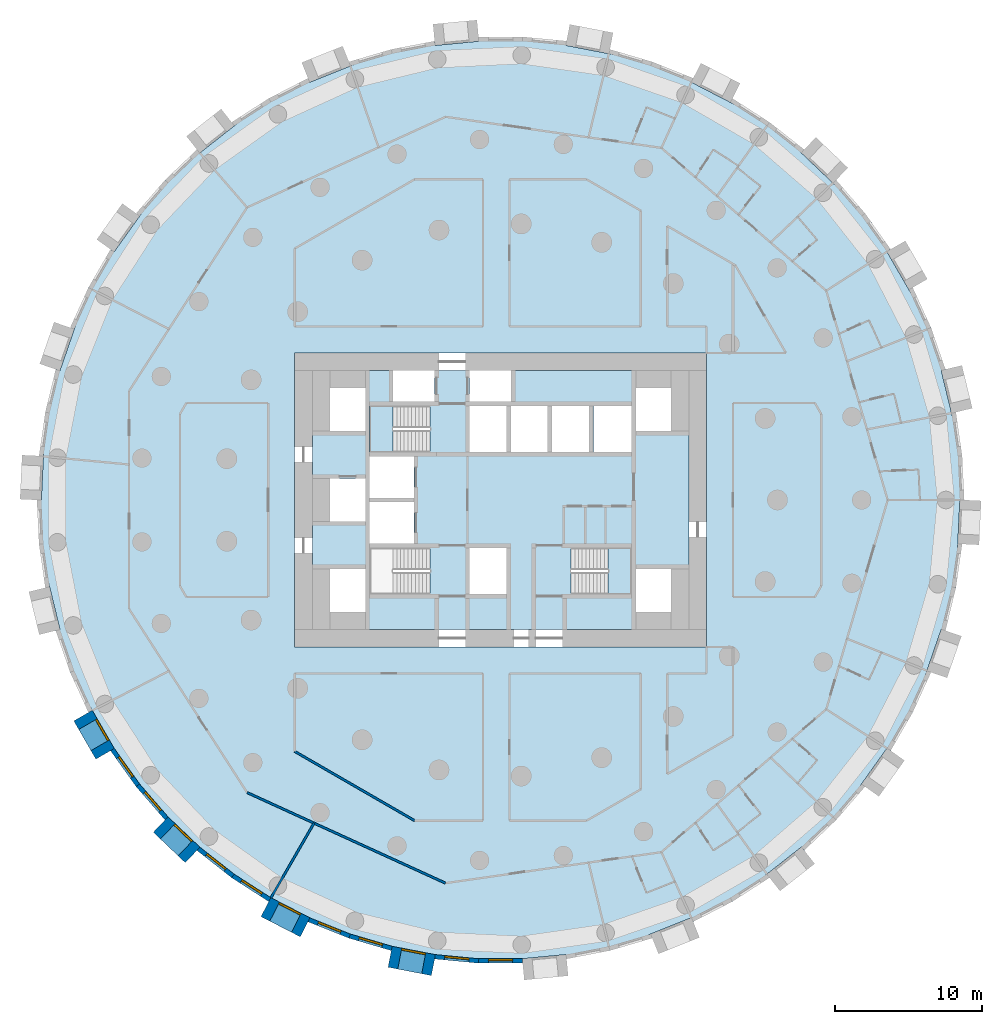
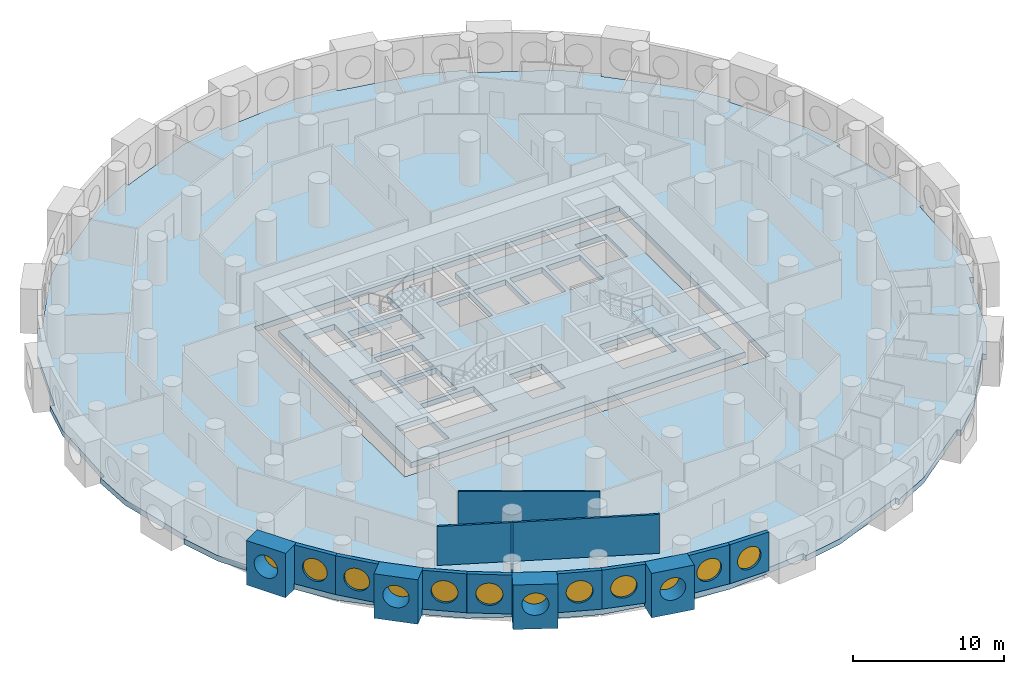
# One storey, part 2 of 12: 15 walls, 12 windows, 4 slabs, 12 openings, 2 elements without a shape of their own.
"""IFC4 building model written with IfcOpenShell, lengths in metres."""

import ifcopenshell
import ifcopenshell.guid

model = None  # the IFC model being written
_history = None  # IfcOwnerHistory: only IFC2X3 demands one
_inside = {}  # id of a spatial element -> (the spatial element, [elements in it])
_under = {}  # id of a project, library or spatial element -> (it, [spatial elements below it])
_declared = {}  # id of a project -> (the project, [libraries it declares])
_typed = {}  # id of a type object -> (the type object, [elements of that type])
_made_of = {}  # id of a material, layer set ... -> (it, [elements and type objects made of it])


def new_model(schema):
    """Start an empty IFC model of exactly this schema.

    Asked for "IFC4X3", IfcOpenShell would pick the latest addendum, in which some entities
    have other attributes; the version numbers below select the first issue.
    IFC2X3 requires an IfcOwnerHistory on every rooted entity: one is made here for all.
    """
    global model, _history
    if schema == "IFC4X3":
        model = ifcopenshell.file(schema_version=(4, 3, 0, 0))
    else:
        model = ifcopenshell.file(schema=schema)
    _inside.clear()
    _under.clear()
    _declared.clear()
    _typed.clear()
    _made_of.clear()
    _history = None
    if model.schema == "IFC2X3":
        org = make("IfcOrganization", Name="unknown")
        user = make(
            "IfcPersonAndOrganization",
            ThePerson=make("IfcPerson", FamilyName="unknown"),
            TheOrganization=org,
        )
        app = make(
            "IfcApplication",
            ApplicationDeveloper=org,
            Version="unknown",
            ApplicationFullName="unknown",
            ApplicationIdentifier="unknown",
        )
        _history = make(
            "IfcOwnerHistory",
            OwningUser=user,
            OwningApplication=app,
            ChangeAction="ADDED",
            CreationDate=0,
        )
    return model


def make(cls, **values):
    """One entity of the class cls with the attributes given. An attribute that is None is left unset."""
    return model.create_entity(
        cls, **{name: value for name, value in values.items() if value is not None}
    )


def rooted(cls, **values):
    """An entity with a GlobalId (a new one), such as an element, a storey or a relation."""
    return make(cls, GlobalId=ifcopenshell.guid.new(), OwnerHistory=_history, **values)


def si_unit(unit_type, name, prefix=None):
    """IfcSIUnit, for example si_unit("LENGTHUNIT", "METRE", prefix="MILLI")."""
    return make("IfcSIUnit", UnitType=unit_type, Prefix=prefix, Name=name)


def assignment(units):
    """IfcUnitAssignment: the units of a project."""
    return None if units is None else make("IfcUnitAssignment", Units=units)


def point(xyz):
    """IfcCartesianPoint."""
    return None if xyz is None else make("IfcCartesianPoint", Coordinates=xyz)


def direction(xyz):
    """IfcDirection."""
    return None if xyz is None else make("IfcDirection", DirectionRatios=xyz)


def frame(location, z_axis=None, x_axis=None):
    """IfcAxis2Placement3D, a coordinate frame: its origin and axes. An axis left out is left unset."""
    return make(
        "IfcAxis2Placement3D",
        Location=point(location),
        Axis=direction(z_axis),
        RefDirection=direction(x_axis),
    )


def frame_2d(location, x_axis=None):
    """IfcAxis2Placement2D, a coordinate frame in the plane: its origin and x axis."""
    return make(
        "IfcAxis2Placement2D", Location=point(location), RefDirection=direction(x_axis)
    )


def origin():
    """The frame at (0, 0, 0) with its axes left unset."""
    return frame((0.0, 0.0, 0.0))


def origin_2d():
    """The frame at (0, 0) in the plane with its x axis left unset."""
    return frame_2d((0.0, 0.0))


def place(relative_to, where):
    """IfcLocalPlacement: puts the frame where relative to a parent placement (None: the world)."""
    return make(
        "IfcLocalPlacement", PlacementRelTo=relative_to, RelativePlacement=where
    )


def context(
    kind, dimensions, precision=None, world=None, true_north=None, identifier=None
):
    """IfcGeometricRepresentationContext, for example the 3D "Model" context."""
    return make(
        "IfcGeometricRepresentationContext",
        ContextIdentifier=identifier,
        ContextType=kind,
        CoordinateSpaceDimension=dimensions,
        Precision=precision,
        WorldCoordinateSystem=world,
        TrueNorth=true_north,
    )


def subcontext(parent, identifier, kind, view, scale=None):
    """IfcGeometricRepresentationSubContext, for example "Body" below "Model"."""
    return make(
        "IfcGeometricRepresentationSubContext",
        ContextIdentifier=identifier,
        ContextType=kind,
        ParentContext=parent,
        TargetScale=scale,
        TargetView=view,
    )


def project(units=None, contexts=None):
    """IfcProject with its units and contexts."""
    return rooted(
        "IfcProject",
        Name="project",
        RepresentationContexts=contexts,
        UnitsInContext=assignment(units),
    )


def spatial(cls, under=None, at=None, **own):
    """A site, building, storey or space (cls), placed at a placement, below another one or the project."""
    s = rooted(cls, ObjectPlacement=at, **own)
    if under is not None:
        _under.setdefault(under.id(), (under, []))[1].append(s)
    return s


def polyline(points):
    """IfcPolyline through the points."""
    return make("IfcPolyline", Points=[point(p) for p in points])


def profile(cls, at=None, kind="AREA", **sizes):
    """A parametric profile (cls). Its sizes go by their IFC names, for example OverallWidth=200.0."""
    return make(cls, ProfileType=kind, Position=at, **sizes)


def rectangle(**sizes):
    """IfcRectangleProfileDef."""
    return profile("IfcRectangleProfileDef", **sizes)


def circle(**sizes):
    """IfcCircleProfileDef."""
    return profile("IfcCircleProfileDef", **sizes)


def outline(outer, holes=None, kind="AREA"):
    """IfcArbitraryClosedProfileDef: a profile drawn as a closed curve; with holes, ...WithVoids."""
    if holes is None:
        return make("IfcArbitraryClosedProfileDef", ProfileType=kind, OuterCurve=outer)
    return make(
        "IfcArbitraryProfileDefWithVoids",
        ProfileType=kind,
        OuterCurve=outer,
        InnerCurves=holes,
    )


def extrude(swept, where, along, depth):
    """IfcExtrudedAreaSolid: the profile swept, set in the frame where, extruded along a direction by depth."""
    return make(
        "IfcExtrudedAreaSolid",
        SweptArea=swept,
        Position=where,
        ExtrudedDirection=direction(along),
        Depth=depth,
    )


def shape(context_of_items, identifier, shape_type, items):
    """IfcShapeRepresentation: the items that make up one representation, for example the "Body"."""
    return make(
        "IfcShapeRepresentation",
        ContextOfItems=context_of_items,
        RepresentationIdentifier=identifier,
        RepresentationType=shape_type,
        Items=items,
    )


def material(Name=None, Category=None):
    """IfcMaterial."""
    return make("IfcMaterial", Name=Name, Category=Category)


def layer(
    of_material, thickness, ventilated=None, Name=None, Category=None, Priority=None
):
    """IfcMaterialLayer: one layer of a wall or slab, of a material (None: an air gap)."""
    return make(
        "IfcMaterialLayer",
        Material=of_material,
        LayerThickness=thickness,
        IsVentilated=ventilated,
        Name=Name,
        Category=Category,
        Priority=Priority,
    )


def layer_set(layers, Name=None):
    """IfcMaterialLayerSet."""
    return make("IfcMaterialLayerSet", MaterialLayers=layers, LayerSetName=Name)


def made_of(thing, what):
    """Note that an element or type object is made of a material, layer set ...; save() writes the relation."""
    if what is not None:
        _made_of.setdefault(what.id(), (what, []))[1].append(thing)
    return thing


def type_object(cls, material=None, **own):
    """A type object (cls), such as IfcWallType, which elements share."""
    return made_of(rooted(cls, **own), material)


def element(
    cls,
    number,
    at=None,
    inside=None,
    cuts=None,
    type_object=None,
    material=None,
    context=None,
    identifier="Body",
    shape_type=None,
    held_by="IfcProductDefinitionShape",
    body=None,
    shapes=None,
    **own,
):
    """One element of the class cls, such as IfcWall. Its Tag is "e" and its number.

    at: its placement. inside: the storey or other place that contains it. cuts: it is an
    opening in that element (IfcRelVoidsElement). A single representation is given by context,
    identifier, shape_type and body (its items); several are given by shapes. held_by: the class
    of the entity that holds the representations. save() writes the other relations.
    """
    e = rooted(cls, Tag="e%d" % number, ObjectPlacement=at, **own)
    if body is not None:
        shapes = [shape(context, identifier, shape_type, body)]
    if shapes is not None:
        e.Representation = make(held_by, Representations=shapes)
    if inside is not None:
        _inside.setdefault(inside.id(), (inside, []))[1].append(e)
    if cuts is not None:
        rooted(
            "IfcRelVoidsElement", RelatingBuildingElement=cuts, RelatedOpeningElement=e
        )
    if type_object is not None:
        _typed.setdefault(type_object.id(), (type_object, []))[1].append(e)
    return made_of(e, material)


def fill(opening, filler):
    """IfcRelFillsElement: the door or window that sits in an opening."""
    return rooted(
        "IfcRelFillsElement",
        RelatingOpeningElement=opening,
        RelatedBuildingElement=filler,
    )


def aggregate(whole, parts):
    """IfcRelAggregates: a whole, such as a stair, and the parts it consists of."""
    return rooted("IfcRelAggregates", RelatingObject=whole, RelatedObjects=parts)


def save(model, path):
    """Write the relations noted so far, then the file.

    IfcRelAggregates (storeys below a building ...), IfcRelContainedInSpatialStructure (elements
    in a storey), IfcRelDefinesByType, IfcRelAssociatesMaterial and IfcRelDeclares: one each for
    every whole, place, type object, material and project.
    """
    for whole, parts in _under.values():
        aggregate(whole, parts)
    for where, things in _inside.values():
        rooted(
            "IfcRelContainedInSpatialStructure",
            RelatedElements=things,
            RelatingStructure=where,
        )
    for kind, things in _typed.values():
        rooted("IfcRelDefinesByType", RelatedObjects=things, RelatingType=kind)
    for what, things in _made_of.values():
        rooted("IfcRelAssociatesMaterial", RelatedObjects=things, RelatingMaterial=what)
    for by, libraries in _declared.values():
        rooted("IfcRelDeclares", RelatingContext=by, RelatedDefinitions=libraries)
    model.write(path)


model = new_model("IFC4")

# Units and contexts
model_context = context("Model", 3, precision=1e-05, world=origin(), true_north=direction((0.0, 1.0)))
body_context = subcontext(model_context, "Body", "Model", "MODEL_VIEW")
ifc_project = project(units=[si_unit("LENGTHUNIT", "METRE"), si_unit("AREAUNIT", "SQUARE_METRE"), si_unit("VOLUMEUNIT", "CUBIC_METRE"), si_unit("PLANEANGLEUNIT", "RADIAN"), si_unit("MASSUNIT", "GRAM", prefix="KILO")], contexts=[model_context])

# Site, building, storey
site_placement = place(None, origin())
site = spatial("IfcSite", under=ifc_project, at=site_placement, CompositionType="ELEMENT")
building_placement = place(site_placement, origin())
building = spatial("IfcBuilding", under=site, at=building_placement, Name="Tracery Tower", CompositionType="ELEMENT")
storey_placement = place(building_placement, frame((0.0, 0.0, 75.0)))
storey = spatial("IfcBuildingStorey", under=building, at=storey_placement, Name="L18", CompositionType="ELEMENT", Elevation=75.0)

# Slabs
ifc_material_1 = material(Name="Concrete C60/75", Category="concrete")
ifc_layer_1 = layer(ifc_material_1, 0.449951171875)
ifc_layer_set_1 = layer_set([ifc_layer_1], Name="Core floor slab 450 C60")
slab_type_1 = type_object("IfcSlabType", Name="Core floor slab 450 C60", PredefinedType="FLOOR", material=ifc_layer_set_1)
slab_1_placement = place(storey_placement, frame((0.0, 0.0, -0.449951171875)))
element("IfcSlab", 1, at=slab_1_placement, inside=storey, type_object=slab_type_1, Name="L18 core floor 1", PredefinedType="FLOOR", context=body_context, shape_type="SweptSolid", body=[
    extrude(outline(polyline([(-12.800048828125, 8.800048828125), (-7.300048828125, 8.800048828125), (-7.300048828125, 6.699951171875), (-4.5, 6.699951171875), (-4.5, 8.800048828125), (-2.10009765625, 8.800048828125), (-2.10009765625, 6.699951171875), (0.699951171875, 6.699951171875), (0.699951171875, 8.800048828125), (12.800048828125, 8.800048828125), (12.800048828125, -8.800048828125), (-12.800048828125, -8.800048828125), (-12.800048828125, 8.800048828125)]), holes=[polyline([(11.60009765625, -7.60009765625), (11.60009765625, -4.699951171875), (9.199951171875, -4.699951171875), (9.199951171875, -7.60009765625), (11.60009765625, -7.60009765625)]), polyline([(11.60009765625, 4.699951171875), (11.60009765625, 7.60009765625), (9.199951171875, 7.60009765625), (9.199951171875, 4.699951171875), (11.60009765625, 4.699951171875)]), polyline([(4.800537109375, -3.25), (4.800537109375, -6.39990234375), (8.89990234375, -6.39990234375), (8.89990234375, -3.25), (4.800537109375, -3.25)]), polyline([(6.300048828125, 3.25), (8.89990234375, 3.25), (8.89990234375, 6.39990234375), (6.300048828125, 6.39990234375), (6.300048828125, 3.25)]), polyline([(3.5, 3.25), (6.0, 3.25), (6.0, 6.39990234375), (3.5, 6.39990234375), (3.5, 3.25)]), polyline([(3.199951171875, 3.25), (3.199951171875, 6.39990234375), (0.699951171875, 6.39990234375), (0.699951171875, 3.25), (3.199951171875, 3.25)]), polyline([(-2.10009765625, 3.25), (0.39990234375, 3.25), (0.39990234375, 6.39990234375), (-2.10009765625, 6.39990234375), (-2.10009765625, 3.25)]), polyline([(0.39990234375, -6.39990234375), (0.39990234375, -3.25), (-2.10009765625, -3.25), (-2.10009765625, -6.39990234375), (0.39990234375, -6.39990234375)]), polyline([(-4.800537109375, -3.25), (-8.89990234375, -3.25), (-8.89990234375, -6.39990234375), (-4.800537109375, -6.39990234375), (-4.800537109375, -3.25)]), polyline([(-4.800537109375, 6.39990234375), (-8.89990234375, 6.39990234375), (-8.89990234375, 3.25), (-4.800537109375, 3.25), (-4.800537109375, 6.39990234375)]), polyline([(-8.89990234375, -2.949951171875), (-5.89990234375, -2.949951171875), (-5.89990234375, -0.14990234375), (-8.89990234375, -0.14990234375), (-8.89990234375, -2.949951171875)]), polyline([(-5.89990234375, 0.14990234375), (-5.89990234375, 2.949951171875), (-8.89990234375, 2.949951171875), (-8.89990234375, 0.14990234375), (-5.89990234375, 0.14990234375)]), polyline([(-11.60009765625, 4.699951171875), (-9.199951171875, 4.699951171875), (-9.199951171875, 7.60009765625), (-11.60009765625, 7.60009765625), (-11.60009765625, 4.699951171875)]), polyline([(-9.199951171875, -7.60009765625), (-9.199951171875, -4.699951171875), (-11.60009765625, -4.699951171875), (-11.60009765625, -7.60009765625), (-9.199951171875, -7.60009765625)]), polyline([(-9.199951171875, -1.449951171875), (-9.199951171875, 1.449951171875), (-11.60009765625, 1.449951171875), (-11.60009765625, -1.449951171875), (-9.199951171875, -1.449951171875)])]), origin(), (0.0, 0.0, 1.0), 0.449951171875),
])
ifc_material_2 = material(Name="Concrete C50/60", Category="concrete")
ifc_layer_2 = layer(ifc_material_2, 0.449951171875)
ifc_layer_set_2 = layer_set([ifc_layer_2], Name="Floor slab 450")
slab_type_2 = type_object("IfcSlabType", Name="Floor slab 450", PredefinedType="FLOOR", material=ifc_layer_set_2)
slab_2_placement = place(storey_placement, frame((0.0, 0.0, -0.449951171875)))
element("IfcSlab", 2, at=slab_2_placement, inside=storey, type_object=slab_type_2, Name="Floor slab L18", PredefinedType="FLOOR", context=body_context, shape_type="SweptSolid", body=[
    extrude(outline(polyline([(30.663330078125, 5.8955078125), (30.663330078125, 5.895263671875), (30.66015625, 5.908447265625), (30.659912109375, 5.9091796875), (30.6015625, 6.150390625), (29.9560546875, 8.810791015625), (30.24755859375, 8.881591796875), (30.24755859375, 8.881591796875), (29.266357421875, 11.716552734375), (27.760498046875, 14.29541015625), (27.760498046875, 14.29541015625), (27.7548828125, 14.3046875), (27.753173828125, 14.307861328125), (26.267578125, 16.881103515625), (26.267578125, 16.881103515625), (26.260498046875, 16.8935546875), (26.52001953125, 17.04345703125), (26.520263671875, 17.04345703125), (24.780029296875, 19.4873046875), (22.6083984375, 21.537353515625), (22.6083984375, 21.537353515625), (21.854736328125, 22.256103515625), (20.447509765625, 23.59765625), (20.447509765625, 23.59765625), (20.437255859375, 23.607666015625), (20.64404296875, 23.824462890625), (20.644287109375, 23.82470703125), (18.2861328125, 25.67919921875), (15.625, 27.034423828125), (15.624755859375, 27.034423828125), (15.614990234375, 27.03955078125), (15.612060546875, 27.041015625), (13.0693359375, 28.351806640625), (12.958251953125, 28.4091796875), (13.095703125, 28.67578125), (10.310791015625, 29.790771484375), (7.37548828125, 30.341552734375), (7.37548828125, 30.34130859375), (7.114501953125, 30.3916015625), (4.443603515625, 30.906494140625), (4.443603515625, 30.906494140625), (4.4296875, 30.9091796875), (4.486328125, 31.203369140625), (4.486328125, 31.20361328125), (1.5, 31.489013671875), (-1.471435546875, 31.190185546875), (-1.471435546875, 31.190185546875), (-1.859375, 31.1533203125), (-4.443603515625, 30.906494140625), (-4.443603515625, 30.906494140625), (-4.4580078125, 30.905029296875), (-4.486328125, 31.20361328125), (-7.43212890625, 30.635986328125), (-10.19921875, 29.512451171875), (-10.19921875, 29.51220703125), (-12.984375, 28.397216796875), (-13.095703125, 28.67578125), (-13.095703125, 28.67578125), (-15.76220703125, 27.301025390625), (-18.1005859375, 25.443359375), (-18.1005859375, 25.443359375), (-18.103271484375, 25.44140625), (-18.11181640625, 25.4345703125), (-20.447509765625, 23.59765625), (-20.447509765625, 23.59765625), (-20.458740234375, 23.5888671875), (-20.644287109375, 23.82470703125), (-22.8154296875, 21.75439453125), (-24.53564453125, 19.313232421875), (-24.53564453125, 19.313232421875), (-24.81201171875, 18.9248046875), (-26.267578125, 16.881103515625), (-26.267578125, 16.881103515625), (-26.27587890625, 16.869384765625), (-26.520263671875, 17.04345703125), (-28.020263671875, 14.4453125), (-28.98291015625, 11.618408203125), (-28.98291015625, 11.618408203125), (-29.964111328125, 8.783447265625), (-30.24755859375, 8.881591796875), (-30.954833984375, 5.966064453125), (-31.082275390625, 2.982421875), (-31.082275390625, 2.982421875), (-31.224853515625, -0.014404296875), (-31.524658203125, 0.0), (-31.524658203125, 0.0), (-31.3818359375, -2.99658203125), (-30.663330078125, -5.8955078125), (-30.663330078125, -5.895263671875), (-30.66015625, -5.908447265625), (-30.659912109375, -5.9091796875), (-30.6015625, -6.150390625), (-29.9560546875, -8.810791015625), (-30.24755859375, -8.881591796875), (-30.24755859375, -8.881591796875), (-29.266357421875, -11.716552734375), (-27.760498046875, -14.29541015625), (-27.760498046875, -14.29541015625), (-27.7548828125, -14.3046875), (-27.753173828125, -14.307861328125), (-26.267578125, -16.881103515625), (-26.267578125, -16.881103515625), (-26.260498046875, -16.8935546875), (-26.52001953125, -17.04345703125), (-26.520263671875, -17.04345703125), (-24.780029296875, -19.4873046875), (-22.6083984375, -21.537353515625), (-22.6083984375, -21.537353515625), (-21.854736328125, -22.256103515625), (-20.447509765625, -23.59765625), (-20.447509765625, -23.59765625), (-20.437255859375, -23.607666015625), (-20.64404296875, -23.824462890625), (-20.644287109375, -23.82470703125), (-18.2861328125, -25.67919921875), (-15.625, -27.034423828125), (-15.624755859375, -27.034423828125), (-15.614990234375, -27.03955078125), (-15.612060546875, -27.041015625), (-13.0693359375, -28.351806640625), (-12.958251953125, -28.4091796875), (-13.095703125, -28.67578125), (-10.310791015625, -29.790771484375), (-7.37548828125, -30.341552734375), (-7.37548828125, -30.34130859375), (-7.114501953125, -30.3916015625), (-4.443603515625, -30.906494140625), (-4.443603515625, -30.906494140625), (-4.4296875, -30.9091796875), (-4.486328125, -31.203369140625), (-4.486328125, -31.20361328125), (-1.5, -31.489013671875), (1.471435546875, -31.190185546875), (1.471435546875, -31.190185546875), (1.859375, -31.1533203125), (4.443603515625, -30.906494140625), (4.443603515625, -30.906494140625), (4.4580078125, -30.905029296875), (4.486328125, -31.20361328125), (7.43212890625, -30.635986328125), (10.19921875, -29.512451171875), (10.19921875, -29.51220703125), (12.984375, -28.397216796875), (13.095703125, -28.67578125), (13.095703125, -28.67578125), (15.76220703125, -27.301025390625), (18.1005859375, -25.443359375), (18.1005859375, -25.443359375), (18.103271484375, -25.44140625), (18.11181640625, -25.4345703125), (20.447509765625, -23.59765625), (20.447509765625, -23.59765625), (20.458740234375, -23.5888671875), (20.644287109375, -23.82470703125), (22.8154296875, -21.75439453125), (24.53564453125, -19.313232421875), (24.53564453125, -19.313232421875), (24.81201171875, -18.9248046875), (26.267578125, -16.881103515625), (26.267578125, -16.881103515625), (26.27587890625, -16.869384765625), (26.520263671875, -17.04345703125), (28.020263671875, -14.4453125), (28.98291015625, -11.618408203125), (28.98291015625, -11.618408203125), (29.964111328125, -8.783447265625), (30.24755859375, -8.881591796875), (30.954833984375, -5.966064453125), (31.082275390625, -2.982421875), (31.082275390625, -2.982421875), (31.224853515625, 0.014404296875), (31.524658203125, 0.0), (31.3818359375, 2.99658203125), (30.663330078125, 5.8955078125)]), holes=[polyline([(-14.0, -10.0), (14.0, -10.0), (14.0, 10.0), (-14.0, 10.0), (-14.0, -10.0)])]), origin(), (0.0, 0.0, 1.0), 0.449951171875),
])

# Stair, slab
ifc_material_3 = material(Name="Concrete C32/40", Category="concrete")
stair_type = type_object("IfcStairType", Name="Core stair 22 risers", PredefinedType="HALF_TURN_STAIR", material=ifc_material_3)
stair_1_placement = place(storey_placement, origin())
stair_1 = element("IfcStair", 3, at=stair_1_placement, inside=storey, type_object=stair_type, Name="L18 stair ST3", PredefinedType="HALF_TURN_STAIR")
ifc_material_4 = material(Name="Concrete C32/40", Category="concrete")
ifc_layer_3 = layer(ifc_material_4, 0.199951171875)
ifc_layer_set_3 = layer_set([ifc_layer_3], Name="Stair landing slab 200")
slab_type_3 = type_object("IfcSlabType", Name="Stair landing slab 200", PredefinedType="LANDING", material=ifc_layer_set_3)
slab_3_placement = place(storey_placement, frame((0.0, 0.0, 1.60009765625)))
slab_3 = element("IfcSlab", 4, at=slab_3_placement, type_object=slab_type_3, Name="ST3 landing 1", PredefinedType="LANDING", context=body_context, shape_type="SweptSolid", body=[
    extrude(outline(polyline([(-7.29931640625, 6.39990234375), (-8.89990234375, 6.39990234375), (-8.89990234375, 3.25), (-7.29931640625, 3.25), (-7.29931640625, 6.39990234375)])), origin(), (0.0, 0.0, 1.0), 0.199951171875),
])
aggregate(stair_1, [slab_3])

stair_2_placement = place(storey_placement, origin())
stair_2 = element("IfcStair", 5, at=stair_2_placement, inside=storey, type_object=stair_type, Name="L18 stair ST2", PredefinedType="HALF_TURN_STAIR")
slab_4_placement = place(storey_placement, frame((0.0, 0.0, 1.60009765625)))
slab_4 = element("IfcSlab", 6, at=slab_4_placement, type_object=slab_type_3, Name="ST2 landing 1", PredefinedType="LANDING", context=body_context, shape_type="SweptSolid", body=[
    extrude(outline(polyline([(7.29931640625, -6.39990234375), (8.89990234375, -6.39990234375), (8.89990234375, -3.25), (7.29931640625, -3.25), (7.29931640625, -6.39990234375)])), origin(), (0.0, 0.0, 1.0), 0.199951171875),
])
aggregate(stair_2, [slab_4])

# Wall, opening, window
ifc_material_5 = material(Name="Precast concrete C50/60", Category="concrete")
ifc_layer_4 = layer(ifc_material_5, 1.449951171875)
ifc_layer_set_4 = layer_set([ifc_layer_4], Name="Deep-set bay unit 3000 x 3600, slab edge 450")
wall_type_1 = type_object("IfcWallType", Name="Deep-set bay unit 3000 x 3600, slab edge 450", PredefinedType="ELEMENTEDWALL", material=ifc_layer_set_4)
wall_1_placement = place(storey_placement, frame((-28.38818359375, -14.657958984375, -0.449951171875), z_axis=(0.0, 0.0, 1.0), x_axis=(0.499990139034, -0.866031096941, 0.0)))
wall_1 = element("IfcWall", 7, at=wall_1_placement, inside=storey, type_object=wall_type_1, Name="Deep-set bay unit 39 at L18", PredefinedType="ELEMENTEDWALL", context=body_context, shape_type="SweptSolid", body=[
    extrude(rectangle(XDim=3.0, YDim=1.449951171875, at=frame_2d((1.5, 0.0))), origin(), (0.0, 0.0, 1.0), 3.599853515625),
])
opening_1_placement = place(wall_1_placement, frame((1.5, 0.0, 2.0)))
opening_1 = element("IfcOpeningElement", 8, at=opening_1_placement, cuts=wall_1, Name="Opening WN1", PredefinedType="OPENING", context=body_context, shape_type="SweptSolid", body=[
    extrude(circle(Radius=0.9000244140625, at=origin_2d()), frame((0.0, 0.73486328125, 0.0), z_axis=(0.0, -1.0, 0.0), x_axis=(1.0, 0.0, 0.0)), (0.0, 0.0, 1.0), 1.469970703125),
])
ifc_material_6 = material(Name="Aluminium frame with tinted double glazing", Category="aluminium")
window_type = type_object("IfcWindowType", Name="Round window 1800", PartitioningType="SINGLE_PANEL", PredefinedType="WINDOW", material=ifc_material_6)
window_1_placement = place(opening_1_placement, origin())
window_1 = element("IfcWindow", 9, at=window_1_placement, inside=storey, type_object=window_type, Name="Round window 39 at L18", OverallHeight=1.800048828125, OverallWidth=1.800048828125, PartitioningType="SINGLE_PANEL", PredefinedType="WINDOW", context=body_context, shape_type="SweptSolid", body=[
    extrude(circle(Radius=0.9000244140625, at=origin_2d()), frame((0.0, 0.69482421875, 0.0), z_axis=(0.0, -1.0, 0.0), x_axis=(1.0, 0.0, 0.0)), (0.0, 0.0, 1.0), 0.10009765625),
])
fill(opening_1, window_1)

wall_2_placement = place(storey_placement, frame((-23.108642578125, -22.06201171875, -0.449951171875), z_axis=(0.0, 0.0, 1.0), x_axis=(0.723712023899, -0.690102098579, 0.0)))
wall_2 = element("IfcWall", 10, at=wall_2_placement, inside=storey, type_object=wall_type_1, Name="Deep-set bay unit 42 at L18", PredefinedType="ELEMENTEDWALL", context=body_context, shape_type="SweptSolid", body=[
    extrude(rectangle(XDim=3.0, YDim=1.449951171875, at=frame_2d((1.5, 0.0))), origin(), (0.0, 0.0, 1.0), 3.599853515625),
])
opening_2_placement = place(wall_2_placement, frame((1.5, 0.0, 2.0)))
opening_2 = element("IfcOpeningElement", 11, at=opening_2_placement, cuts=wall_2, Name="Opening WN1", PredefinedType="OPENING", context=body_context, shape_type="SweptSolid", body=[
    extrude(circle(Radius=0.9000244140625, at=origin_2d()), frame((0.0, 0.73486328125, 0.0), z_axis=(0.0, -1.0, 0.0), x_axis=(1.0, 0.0, 0.0)), (0.0, 0.0, 1.0), 1.469970703125),
])
window_2_placement = place(opening_2_placement, origin())
window_2 = element("IfcWindow", 12, at=window_2_placement, inside=storey, type_object=window_type, Name="Round window 42 at L18", OverallHeight=1.800048828125, OverallWidth=1.800048828125, PartitioningType="SINGLE_PANEL", PredefinedType="WINDOW", context=body_context, shape_type="SweptSolid", body=[
    extrude(circle(Radius=0.9000244140625, at=origin_2d()), frame((0.0, 0.69482421875, 0.0), z_axis=(0.0, -1.0, 0.0), x_axis=(1.0, 0.0, 0.0)), (0.0, 0.0, 1.0), 0.10009765625),
])
fill(opening_2, window_2)

wall_3_placement = place(storey_placement, frame((-15.95703125, -27.678955078125, -0.449951171875), z_axis=(0.0, 0.0, 1.0), x_axis=(0.888858064689, -0.458182650083, 0.0)))
wall_3 = element("IfcWall", 13, at=wall_3_placement, inside=storey, type_object=wall_type_1, Name="Deep-set bay unit 45 at L18", PredefinedType="ELEMENTEDWALL", context=body_context, shape_type="SweptSolid", body=[
    extrude(rectangle(XDim=3.0, YDim=1.449951171875, at=frame_2d((1.5, 0.0))), origin(), (0.0, 0.0, 1.0), 3.599853515625),
])
opening_3_placement = place(wall_3_placement, frame((1.5, 0.0, 2.0)))
opening_3 = element("IfcOpeningElement", 14, at=opening_3_placement, cuts=wall_3, Name="Opening WN1", PredefinedType="OPENING", context=body_context, shape_type="SweptSolid", body=[
    extrude(circle(Radius=0.9000244140625, at=origin_2d()), frame((0.0, 0.73486328125, 0.0), z_axis=(0.0, -1.0, 0.0), x_axis=(1.0, 0.0, 0.0)), (0.0, 0.0, 1.0), 1.469970703125),
])
window_3_placement = place(opening_3_placement, origin())
window_3 = element("IfcWindow", 15, at=window_3_placement, inside=storey, type_object=window_type, Name="Round window 45 at L18", OverallHeight=1.800048828125, OverallWidth=1.800048828125, PartitioningType="SINGLE_PANEL", PredefinedType="WINDOW", context=body_context, shape_type="SweptSolid", body=[
    extrude(circle(Radius=0.9000244140625, at=origin_2d()), frame((0.0, 0.69482421875, 0.0), z_axis=(0.0, -1.0, 0.0), x_axis=(1.0, 0.0, 0.0)), (0.0, 0.0, 1.0), 0.10009765625),
])
fill(opening_3, window_3)

wall_4_placement = place(storey_placement, frame((-7.5126953125, -31.05322265625, -0.449951171875), z_axis=(0.0, 0.0, 1.0), x_axis=(0.981921602273, -0.189288052949, 0.0)))
wall_4 = element("IfcWall", 16, at=wall_4_placement, inside=storey, type_object=wall_type_1, Name="Deep-set bay unit 48 at L18", PredefinedType="ELEMENTEDWALL", context=body_context, shape_type="SweptSolid", body=[
    extrude(rectangle(XDim=3.0, YDim=1.449951171875, at=frame_2d((1.5, 0.0))), origin(), (0.0, 0.0, 1.0), 3.599853515625),
])
opening_4_placement = place(wall_4_placement, frame((1.5, 0.0, 2.0)))
opening_4 = element("IfcOpeningElement", 17, at=opening_4_placement, cuts=wall_4, Name="Opening WN1", PredefinedType="OPENING", context=body_context, shape_type="SweptSolid", body=[
    extrude(circle(Radius=0.9000244140625, at=origin_2d()), frame((0.0, 0.73486328125, 0.0), z_axis=(0.0, -1.0, 0.0), x_axis=(1.0, 0.0, 0.0)), (0.0, 0.0, 1.0), 1.469970703125),
])
window_4_placement = place(opening_4_placement, origin())
window_4 = element("IfcWindow", 18, at=window_4_placement, inside=storey, type_object=window_type, Name="Round window 48 at L18", OverallHeight=1.800048828125, OverallWidth=1.800048828125, PartitioningType="SINGLE_PANEL", PredefinedType="WINDOW", context=body_context, shape_type="SweptSolid", body=[
    extrude(circle(Radius=0.9000244140625, at=origin_2d()), frame((0.0, 0.69482421875, 0.0), z_axis=(0.0, -1.0, 0.0), x_axis=(1.0, 0.0, 0.0)), (0.0, 0.0, 1.0), 0.10009765625),
])
fill(opening_4, window_4)

ifc_material_7 = material(Name="Precast concrete C50/60", Category="concrete")
ifc_layer_5 = layer(ifc_material_7, 0.300048828125)
ifc_layer_set_5 = layer_set([ifc_layer_5], Name="Facade panel 3000 x 3150")
wall_type_2 = type_object("IfcWallType", Name="Facade panel 3000 x 3150", PredefinedType="SOLIDWALL", material=ifc_layer_set_5)
wall_5_placement = place(storey_placement, frame((-26.390380859375, -16.96728515625, 0.0), z_axis=(0.0, 0.0, 1.0), x_axis=(0.580113774115, -0.814535456, 0.0)))
wall_5 = element("IfcWall", 19, at=wall_5_placement, inside=storey, type_object=wall_type_2, Name="Facade panel 40 at L18", PredefinedType="SOLIDWALL", context=body_context, shape_type="SweptSolid", body=[
    extrude(rectangle(XDim=2.979736328125, YDim=0.300048828125, at=frame_2d((1.48974609375, 0.0))), origin(), (0.0, 0.0, 1.0), 3.14990234375),
])
opening_5_placement = place(wall_5_placement, frame((1.48974609375, 0.0, 1.5498046875)))
opening_5 = element("IfcOpeningElement", 20, at=opening_5_placement, cuts=wall_5, Name="Opening WN1", PredefinedType="OPENING", context=body_context, shape_type="SweptSolid", body=[
    extrude(circle(Radius=0.9000244140625, at=origin_2d()), frame((0.0, 0.159912109375, 0.0), z_axis=(0.0, -1.0, 0.0), x_axis=(1.0, 0.0, 0.0)), (0.0, 0.0, 1.0), 0.320068359375),
])
window_5_placement = place(opening_5_placement, origin())
window_5 = element("IfcWindow", 21, at=window_5_placement, inside=storey, type_object=window_type, Name="Round window 40 at L18", OverallHeight=1.800048828125, OverallWidth=1.800048828125, PartitioningType="SINGLE_PANEL", PredefinedType="WINDOW", context=body_context, shape_type="SweptSolid", body=[
    extrude(circle(Radius=0.9000244140625, at=origin_2d()), frame((0.0, 0.1201171875, 0.0), z_axis=(0.0, -1.0, 0.0), x_axis=(1.0, 0.0, 0.0)), (0.0, 0.0, 1.0), 0.10009765625),
])
fill(opening_5, window_5)

wall_6_placement = place(storey_placement, frame((-24.661865234375, -19.394287109375, 0.0), z_axis=(0.0, 0.0, 1.0), x_axis=(0.654830712471, -0.755775587066, 0.0)))
wall_6 = element("IfcWall", 22, at=wall_6_placement, inside=storey, type_object=wall_type_2, Name="Facade panel 41 at L18", PredefinedType="SOLIDWALL", context=body_context, shape_type="SweptSolid", body=[
    extrude(rectangle(XDim=2.979736328125, YDim=0.300048828125, at=frame_2d((1.48974609375, 0.0))), origin(), (0.0, 0.0, 1.0), 3.14990234375),
])
opening_6_placement = place(wall_6_placement, frame((1.48974609375, 0.0, 1.5498046875)))
opening_6 = element("IfcOpeningElement", 23, at=opening_6_placement, cuts=wall_6, Name="Opening WN1", PredefinedType="OPENING", context=body_context, shape_type="SweptSolid", body=[
    extrude(circle(Radius=0.9000244140625, at=origin_2d()), frame((0.0, 0.159912109375, 0.0), z_axis=(0.0, -1.0, 0.0), x_axis=(1.0, 0.0, 0.0)), (0.0, 0.0, 1.0), 0.320068359375),
])
window_6_placement = place(opening_6_placement, origin())
window_6 = element("IfcWindow", 24, at=window_6_placement, inside=storey, type_object=window_type, Name="Round window 41 at L18", OverallHeight=1.800048828125, OverallWidth=1.800048828125, PartitioningType="SINGLE_PANEL", PredefinedType="WINDOW", context=body_context, shape_type="SweptSolid", body=[
    extrude(circle(Radius=0.9000244140625, at=origin_2d()), frame((0.0, 0.1201171875, 0.0), z_axis=(0.0, -1.0, 0.0), x_axis=(1.0, 0.0, 0.0)), (0.0, 0.0, 1.0), 0.10009765625),
])
fill(opening_6, window_6)

wall_7_placement = place(storey_placement, frame((-20.541015625, -23.715087890625, 0.0), z_axis=(0.0, 0.0, 1.0), x_axis=(0.786053834673, -0.618158045322, 0.0)))
wall_7 = element("IfcWall", 25, at=wall_7_placement, inside=storey, type_object=wall_type_2, Name="Facade panel 43 at L18", PredefinedType="SOLIDWALL", context=body_context, shape_type="SweptSolid", body=[
    extrude(rectangle(XDim=2.9794921875, YDim=0.300048828125, at=frame_2d((1.48974609375, 0.0))), origin(), (0.0, 0.0, 1.0), 3.14990234375),
])
opening_7_placement = place(wall_7_placement, frame((1.48974609375, 0.0, 1.5498046875)))
opening_7 = element("IfcOpeningElement", 26, at=opening_7_placement, cuts=wall_7, Name="Opening WN1", PredefinedType="OPENING", context=body_context, shape_type="SweptSolid", body=[
    extrude(circle(Radius=0.9000244140625, at=origin_2d()), frame((0.0, 0.159912109375, 0.0), z_axis=(0.0, -1.0, 0.0), x_axis=(1.0, 0.0, 0.0)), (0.0, 0.0, 1.0), 0.320068359375),
])
window_7_placement = place(opening_7_placement, origin())
window_7 = element("IfcWindow", 27, at=window_7_placement, inside=storey, type_object=window_type, Name="Round window 43 at L18", OverallHeight=1.800048828125, OverallWidth=1.800048828125, PartitioningType="SINGLE_PANEL", PredefinedType="WINDOW", context=body_context, shape_type="SweptSolid", body=[
    extrude(circle(Radius=0.9000244140625, at=origin_2d()), frame((0.0, 0.1201171875, 0.0), z_axis=(0.0, -1.0, 0.0), x_axis=(1.0, 0.0, 0.0)), (0.0, 0.0, 1.0), 0.10009765625),
])
fill(opening_7, window_7)

wall_8_placement = place(storey_placement, frame((-18.198974609375, -25.556884765625, 0.0), z_axis=(0.0, 0.0, 1.0), x_axis=(0.841260995538, -0.54062920508, 0.0)))
wall_8 = element("IfcWall", 28, at=wall_8_placement, inside=storey, type_object=wall_type_2, Name="Facade panel 44 at L18", PredefinedType="SOLIDWALL", context=body_context, shape_type="SweptSolid", body=[
    extrude(rectangle(XDim=2.9794921875, YDim=0.300048828125, at=frame_2d((1.48974609375, 0.0))), origin(), (0.0, 0.0, 1.0), 3.14990234375),
])
opening_8_placement = place(wall_8_placement, frame((1.48974609375, 0.0, 1.5498046875)))
opening_8 = element("IfcOpeningElement", 29, at=opening_8_placement, cuts=wall_8, Name="Opening WN1", PredefinedType="OPENING", context=body_context, shape_type="SweptSolid", body=[
    extrude(circle(Radius=0.9000244140625, at=origin_2d()), frame((0.0, 0.159912109375, 0.0), z_axis=(0.0, -1.0, 0.0), x_axis=(1.0, 0.0, 0.0)), (0.0, 0.0, 1.0), 0.320068359375),
])
window_8_placement = place(opening_8_placement, origin())
window_8 = element("IfcWindow", 30, at=window_8_placement, inside=storey, type_object=window_type, Name="Round window 44 at L18", OverallHeight=1.800048828125, OverallWidth=1.800048828125, PartitioningType="SINGLE_PANEL", PredefinedType="WINDOW", context=body_context, shape_type="SweptSolid", body=[
    extrude(circle(Radius=0.9000244140625, at=origin_2d()), frame((0.0, 0.1201171875, 0.0), z_axis=(0.0, -1.0, 0.0), x_axis=(1.0, 0.0, 0.0)), (0.0, 0.0, 1.0), 0.10009765625),
])
fill(opening_8, window_8)

wall_9_placement = place(storey_placement, frame((-13.02783203125, -28.54150390625, 0.0), z_axis=(0.0, 0.0, 1.0), x_axis=(0.928374947, -0.371644935098, 0.0)))
wall_9 = element("IfcWall", 31, at=wall_9_placement, inside=storey, type_object=wall_type_2, Name="Facade panel 46 at L18", PredefinedType="SOLIDWALL", context=body_context, shape_type="SweptSolid", body=[
    extrude(rectangle(XDim=2.979736328125, YDim=0.300048828125, at=frame_2d((1.48974609375, 0.0))), origin(), (0.0, 0.0, 1.0), 3.14990234375),
])
opening_9_placement = place(wall_9_placement, frame((1.48974609375, 0.0, 1.5498046875)))
opening_9 = element("IfcOpeningElement", 32, at=opening_9_placement, cuts=wall_9, Name="Opening WN1", PredefinedType="OPENING", context=body_context, shape_type="SweptSolid", body=[
    extrude(circle(Radius=0.9000244140625, at=origin_2d()), frame((0.0, 0.159912109375, 0.0), z_axis=(0.0, -1.0, 0.0), x_axis=(1.0, 0.0, 0.0)), (0.0, 0.0, 1.0), 0.320068359375),
])
window_9_placement = place(opening_9_placement, origin())
window_9 = element("IfcWindow", 33, at=window_9_placement, inside=storey, type_object=window_type, Name="Round window 46 at L18", OverallHeight=1.800048828125, OverallWidth=1.800048828125, PartitioningType="SINGLE_PANEL", PredefinedType="WINDOW", context=body_context, shape_type="SweptSolid", body=[
    extrude(circle(Radius=0.9000244140625, at=origin_2d()), frame((0.0, 0.1201171875, 0.0), z_axis=(0.0, -1.0, 0.0), x_axis=(1.0, 0.0, 0.0)), (0.0, 0.0, 1.0), 0.10009765625),
])
fill(opening_9, window_9)

wall_10_placement = place(storey_placement, frame((-10.261474609375, -29.64892578125, 0.0), z_axis=(0.0, 0.0, 1.0), x_axis=(0.959501085144, -0.281704930036, 0.0)))
wall_10 = element("IfcWall", 34, at=wall_10_placement, inside=storey, type_object=wall_type_2, Name="Facade panel 47 at L18", PredefinedType="SOLIDWALL", context=body_context, shape_type="SweptSolid", body=[
    extrude(rectangle(XDim=2.9794921875, YDim=0.300048828125, at=frame_2d((1.48974609375, 0.0))), origin(), (0.0, 0.0, 1.0), 3.14990234375),
])
opening_10_placement = place(wall_10_placement, frame((1.48974609375, 0.0, 1.5498046875)))
opening_10 = element("IfcOpeningElement", 35, at=opening_10_placement, cuts=wall_10, Name="Opening WN1", PredefinedType="OPENING", context=body_context, shape_type="SweptSolid", body=[
    extrude(circle(Radius=0.9000244140625, at=origin_2d()), frame((0.0, 0.159912109375, 0.0), z_axis=(0.0, -1.0, 0.0), x_axis=(1.0, 0.0, 0.0)), (0.0, 0.0, 1.0), 0.320068359375),
])
window_10_placement = place(opening_10_placement, origin())
window_10 = element("IfcWindow", 36, at=window_10_placement, inside=storey, type_object=window_type, Name="Round window 47 at L18", OverallHeight=1.800048828125, OverallWidth=1.800048828125, PartitioningType="SINGLE_PANEL", PredefinedType="WINDOW", context=body_context, shape_type="SweptSolid", body=[
    extrude(circle(Radius=0.9000244140625, at=origin_2d()), frame((0.0, 0.1201171875, 0.0), z_axis=(0.0, -1.0, 0.0), x_axis=(1.0, 0.0, 0.0)), (0.0, 0.0, 1.0), 0.10009765625),
])
fill(opening_10, window_10)

wall_11_placement = place(storey_placement, frame((-4.458984375, -31.0556640625, 0.0), z_axis=(0.0, 0.0, 1.0), x_axis=(0.995472611385, -0.095048829468, 0.0)))
wall_11 = element("IfcWall", 37, at=wall_11_placement, inside=storey, type_object=wall_type_2, Name="Facade panel 49 at L18", PredefinedType="SOLIDWALL", context=body_context, shape_type="SweptSolid", body=[
    extrude(rectangle(XDim=2.9794921875, YDim=0.300048828125, at=frame_2d((1.48974609375, 0.0))), origin(), (0.0, 0.0, 1.0), 3.14990234375),
])
opening_11_placement = place(wall_11_placement, frame((1.48974609375, 0.0, 1.5498046875)))
opening_11 = element("IfcOpeningElement", 38, at=opening_11_placement, cuts=wall_11, Name="Opening WN1", PredefinedType="OPENING", context=body_context, shape_type="SweptSolid", body=[
    extrude(circle(Radius=0.9000244140625, at=origin_2d()), frame((0.0, 0.159912109375, 0.0), z_axis=(0.0, -1.0, 0.0), x_axis=(1.0, 0.0, 0.0)), (0.0, 0.0, 1.0), 0.320068359375),
])
window_11_placement = place(opening_11_placement, origin())
window_11 = element("IfcWindow", 39, at=window_11_placement, inside=storey, type_object=window_type, Name="Round window 49 at L18", OverallHeight=1.800048828125, OverallWidth=1.800048828125, PartitioningType="SINGLE_PANEL", PredefinedType="WINDOW", context=body_context, shape_type="SweptSolid", body=[
    extrude(circle(Radius=0.9000244140625, at=origin_2d()), frame((0.0, 0.1201171875, 0.0), z_axis=(0.0, -1.0, 0.0), x_axis=(1.0, 0.0, 0.0)), (0.0, 0.0, 1.0), 0.10009765625),
])
fill(opening_11, window_11)

wall_12_placement = place(storey_placement, frame((-1.492919921875, -31.3388671875, 0.0), z_axis=(0.0, 0.0, 1.0), x_axis=(1.0, 0.0, 0.0)))
wall_12 = element("IfcWall", 40, at=wall_12_placement, inside=storey, type_object=wall_type_2, Name="Facade panel 50 at L18", PredefinedType="SOLIDWALL", context=body_context, shape_type="SweptSolid", body=[
    extrude(rectangle(XDim=2.979736328125, YDim=0.300048828125, at=frame_2d((1.48974609375, 0.0))), origin(), (0.0, 0.0, 1.0), 3.14990234375),
])
opening_12_placement = place(wall_12_placement, frame((1.48974609375, 0.0, 1.5498046875)))
opening_12 = element("IfcOpeningElement", 41, at=opening_12_placement, cuts=wall_12, Name="Opening WN1", PredefinedType="OPENING", context=body_context, shape_type="SweptSolid", body=[
    extrude(circle(Radius=0.9000244140625, at=origin_2d()), frame((0.0, 0.159912109375, 0.0), z_axis=(0.0, -1.0, 0.0), x_axis=(1.0, 0.0, 0.0)), (0.0, 0.0, 1.0), 0.320068359375),
])
window_12_placement = place(opening_12_placement, origin())
window_12 = element("IfcWindow", 42, at=window_12_placement, inside=storey, type_object=window_type, Name="Round window 50 at L18", OverallHeight=1.800048828125, OverallWidth=1.800048828125, PartitioningType="SINGLE_PANEL", PredefinedType="WINDOW", context=body_context, shape_type="SweptSolid", body=[
    extrude(circle(Radius=0.9000244140625, at=origin_2d()), frame((0.0, 0.1201171875, 0.0), z_axis=(0.0, -1.0, 0.0), x_axis=(1.0, 0.0, 0.0)), (0.0, 0.0, 1.0), 0.10009765625),
])
fill(opening_12, window_12)

# Walls
ifc_material_8 = material(Name="Plasterboard on steel studs", Category="steel")
ifc_layer_6 = layer(ifc_material_8, 0.14990234375)
ifc_layer_set_6 = layer_set([ifc_layer_6], Name="Partition 150 acoustic unit wall")
wall_type_3 = type_object("IfcWallType", Name="Partition 150 acoustic unit wall", PredefinedType="PARTITIONING", material=ifc_layer_set_6)
wall_13_placement = place(storey_placement, frame((-15.612060546875, -27.041015625, 0.0), z_axis=(0.0, 0.0, 1.0), x_axis=(0.499954606878, 0.86605160993, 0.0)))
element("IfcWall", 43, at=wall_13_placement, inside=storey, type_object=wall_type_3, Name="Unit wall RA5-085", PredefinedType="PARTITIONING", context=body_context, shape_type="SweptSolid", body=[
    extrude(rectangle(XDim=5.8564453125, YDim=0.14990234375, at=frame_2d((2.92822265625, 0.0))), origin(), (0.0, 0.0, 1.0), 3.14990234375),
])
ifc_material_9 = material(Name="Plasterboard on steel studs", Category="steel")
ifc_layer_7 = layer(ifc_material_9, 0.14990234375)
ifc_layer_set_7 = layer_set([ifc_layer_7], Name="Partition 150 corridor wall")
wall_type_4 = type_object("IfcWallType", Name="Partition 150 corridor wall", PredefinedType="PARTITIONING", material=ifc_layer_set_7)
wall_14_placement = place(storey_placement, frame((-14.0, -17.092041015625, 0.0), z_axis=(0.0, 0.0, 1.0), x_axis=(0.86602719091, -0.499996904595, 0.0)))
element("IfcWall", 44, at=wall_14_placement, inside=storey, type_object=wall_type_4, Name="Corridor wall RA5-045", PredefinedType="PARTITIONING", context=body_context, shape_type="SweptSolid", body=[
    extrude(rectangle(XDim=9.419921875, YDim=0.14990234375, at=frame_2d((4.7099609375, 0.0))), origin(), (0.0, 0.0, 1.0), 3.14990234375),
])
wall_15_placement = place(storey_placement, frame((-17.235107421875, -19.889892578125, 0.0), z_axis=(0.0, 0.0, 1.0), x_axis=(0.909645678785, -0.415385049163, 0.0)))
element("IfcWall", 45, at=wall_15_placement, inside=storey, type_object=wall_type_4, Name="Corridor wall RA5-054", PredefinedType="PARTITIONING", context=body_context, shape_type="SweptSolid", body=[
    extrude(rectangle(XDim=14.829345703125, YDim=0.14990234375, at=frame_2d((7.41455078125, 0.0))), origin(), (0.0, 0.0, 1.0), 3.14990234375),
])

save(model, "model.ifc")
